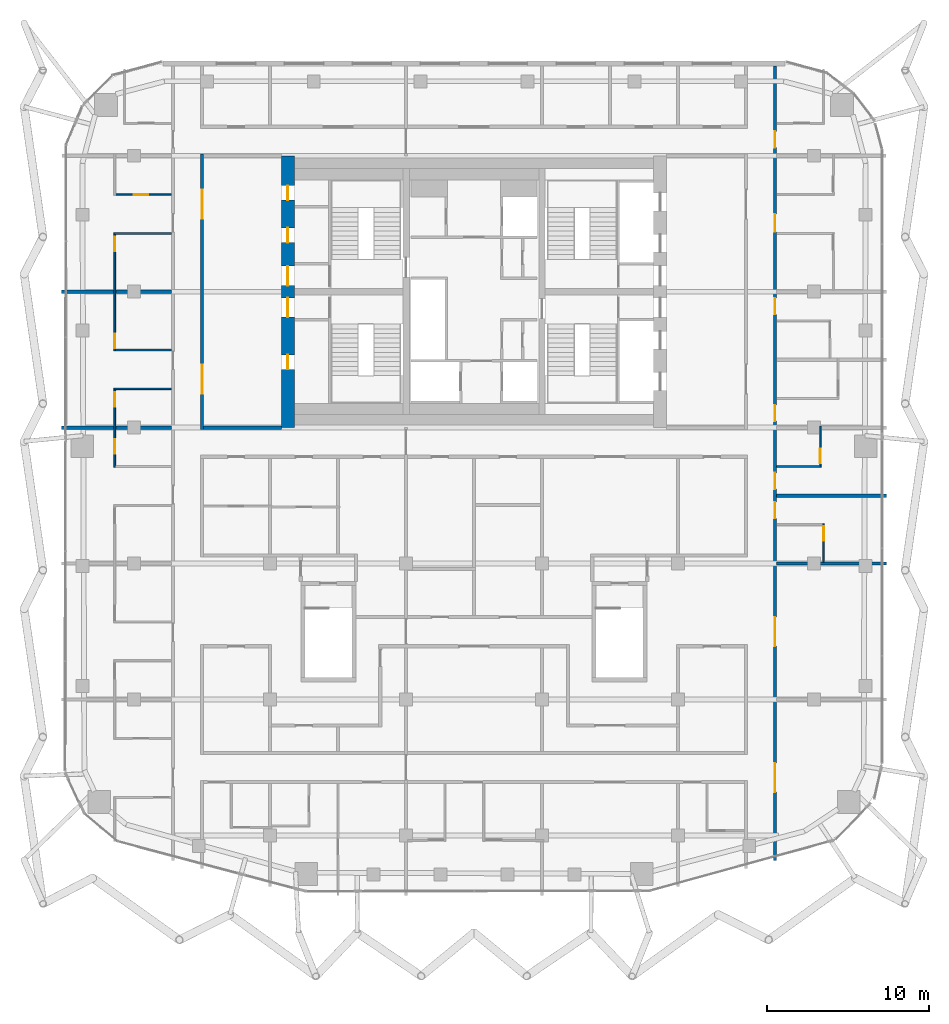
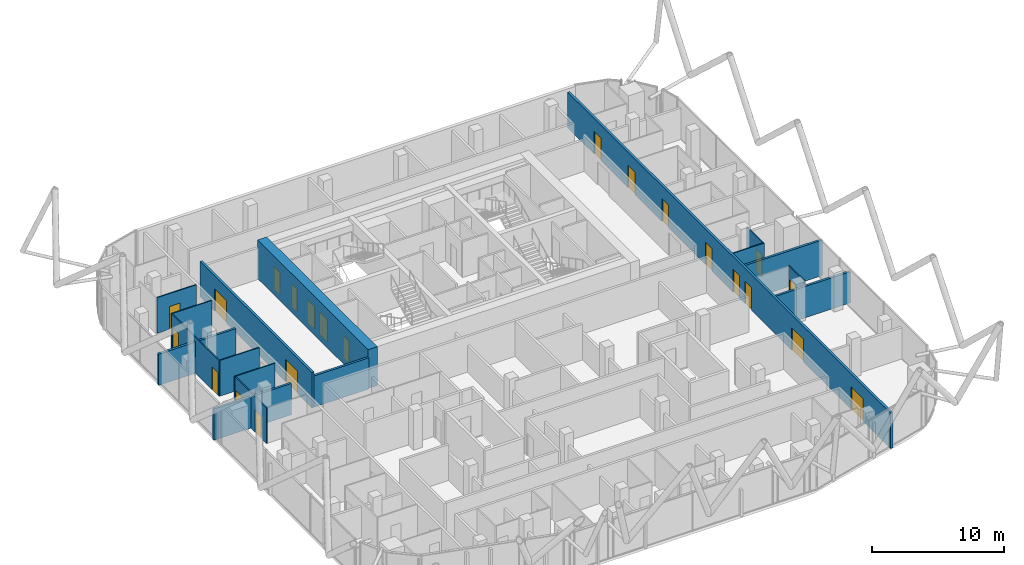
# One storey, part 28 of 33: 22 doors, 17 walls, 22 openings.
"""IFC4 building model written with IfcOpenShell, lengths in metres."""

from ifc_helpers import new_model, si_unit, direction, frame, frame_2d, origin, place, context, subcontext, project, spatial, rectangle, extrude, material, layer, layer_set, type_object, element, fill, save


model = new_model("IFC4")

# Units and contexts
model_context = context("Model", 3, precision=1e-05, world=origin(), true_north=direction((0.0, 1.0)))
body_context = subcontext(model_context, "Body", "Model", "MODEL_VIEW")
ifc_project = project(units=[si_unit("LENGTHUNIT", "METRE"), si_unit("AREAUNIT", "SQUARE_METRE"), si_unit("VOLUMEUNIT", "CUBIC_METRE"), si_unit("PLANEANGLEUNIT", "RADIAN"), si_unit("MASSUNIT", "GRAM", prefix="KILO")], contexts=[model_context])

# Site, building, storey
site_placement = place(None, origin())
site = spatial("IfcSite", under=ifc_project, at=site_placement, CompositionType="ELEMENT")
building_placement = place(site_placement, origin())
building = spatial("IfcBuilding", under=site, at=building_placement, Name="Marenta Gate Hotel Tower", CompositionType="ELEMENT")
storey_placement = place(building_placement, frame((0.0, 0.0, 248.89990234375)))
storey = spatial("IfcBuildingStorey", under=building, at=storey_placement, Name="L59", CompositionType="ELEMENT", Elevation=248.89990234375)

# Wall, openings, doors
ifc_material_1 = material(Name="Concrete blockwork", Category="masonry")
ifc_layer_1 = layer(ifc_material_1, 0.199951171875)
ifc_layer_set_1 = layer_set([ifc_layer_1], Name="Concrete blockwork")
wall_type_1 = type_object("IfcWallType", Name="Core boundary wall 200 REI 180", PredefinedType="PARTITIONING", material=ifc_layer_set_1)
wall_1_placement = place(storey_placement, frame((-16.800048828125, -0.10009765625, 0.0), z_axis=(0.0, 0.0, 1.0), x_axis=(0.0, 1.0, 0.0)))
wall_1 = element("IfcWall", 1, at=wall_1_placement, inside=storey, type_object=wall_type_1, Name="L59-CP-BW-W", PredefinedType="PARTITIONING", context=body_context, shape_type="SweptSolid", body=[
    extrude(rectangle(XDim=17.0, YDim=0.199951171875, at=frame_2d((8.5, 0.0))), origin(), (0.0, 0.0, 1.0), 3.300048828125),
])
opening_1_placement = place(wall_1_placement, frame((2.199951171875, 0.0, 0.0)))
opening_1 = element("IfcOpeningElement", 2, at=opening_1_placement, cuts=wall_1, Name="Opening ED-Wa-B", PredefinedType="OPENING", context=body_context, shape_type="SweptSolid", body=[
    extrude(rectangle(XDim=1.800048828125, YDim=2.10009765625, at=frame_2d((0.89990234375, 1.050048828125))), frame((0.0, 0.10009765625, 0.0), z_axis=(0.0, -1.0, 0.0), x_axis=(1.0, 0.0, 0.0)), (0.0, 0.0, 1.0), 0.199951171875),
])
opening_2_placement = place(wall_1_placement, frame((13.0, 0.0, 0.0)))
opening_2 = element("IfcOpeningElement", 3, at=opening_2_placement, cuts=wall_1, Name="Opening ED-Wb-B", PredefinedType="OPENING", context=body_context, shape_type="SweptSolid", body=[
    extrude(rectangle(XDim=1.800048828125, YDim=2.10009765625, at=frame_2d((0.89990234375, 1.050048828125))), frame((0.0, 0.10009765625, 0.0), z_axis=(0.0, -1.0, 0.0), x_axis=(1.0, 0.0, 0.0)), (0.0, 0.0, 1.0), 0.199951171875),
])
ifc_material_2 = material(Name="Steel", Category="steel")
door_type_1 = type_object("IfcDoorType", Name="Core lobby entrance door 1800x2100 EI 60", OperationType="DOUBLE_DOOR_SINGLE_SWING", PredefinedType="DOOR", material=ifc_material_2)
door_1_placement = place(opening_1_placement, origin())
door_1 = element("IfcDoor", 4, at=door_1_placement, inside=storey, type_object=door_type_1, Name="ED-Wa-B", OperationType="DOUBLE_DOOR_SINGLE_SWING", OverallHeight=2.10009765625, OverallWidth=1.800048828125, PredefinedType="DOOR", context=body_context, shape_type="SweptSolid", body=[
    extrude(rectangle(XDim=1.800048828125, YDim=2.10009765625, at=frame_2d((0.89990234375, 1.050048828125))), frame((0.0, 0.02490234375, 0.0), z_axis=(0.0, -1.0, 0.0), x_axis=(1.0, 0.0, 0.0)), (0.0, 0.0, 1.0), 0.050048828125),
])
fill(opening_1, door_1)
door_2_placement = place(opening_2_placement, origin())
door_2 = element("IfcDoor", 5, at=door_2_placement, inside=storey, type_object=door_type_1, Name="ED-Wb-B", OperationType="DOUBLE_DOOR_SINGLE_SWING", OverallHeight=2.10009765625, OverallWidth=1.800048828125, PredefinedType="DOOR", context=body_context, shape_type="SweptSolid", body=[
    extrude(rectangle(XDim=1.800048828125, YDim=2.10009765625, at=frame_2d((0.89990234375, 1.050048828125))), frame((0.0, 0.02490234375, 0.0), z_axis=(0.0, -1.0, 0.0), x_axis=(1.0, 0.0, 0.0)), (0.0, 0.0, 1.0), 0.050048828125),
])
fill(opening_2, door_2)

# Wall
wall_2_placement = place(storey_placement, frame((-16.699951171875, 0.0, 0.0), z_axis=(0.0, 0.0, 1.0), x_axis=(1.0, 0.0, 0.0)))
element("IfcWall", 6, at=wall_2_placement, inside=storey, type_object=wall_type_1, Name="L59-CP-EW-WS", PredefinedType="PARTITIONING", context=body_context, shape_type="SweptSolid", body=[
    extrude(rectangle(XDim=4.800048828125, YDim=0.199951171875, at=frame_2d((2.39990234375, 0.0))), origin(), (0.0, 0.0, 1.0), 2.900146484375),
])

# Wall, openings, doors
ifc_material_3 = material(Name="Concrete C60", Category="concrete")
ifc_layer_2 = layer(ifc_material_3, 0.800048828125)
ifc_layer_set_2 = layer_set([ifc_layer_2], Name="Concrete C60")
wall_type_2 = type_object("IfcWallType", Name="Core wall 800 C60", PredefinedType="SHEAR", material=ifc_layer_set_2)
wall_3_placement = place(storey_placement, frame((-11.5, 0.0, 0.0), z_axis=(0.0, 0.0, 1.0), x_axis=(0.0, 1.0, 0.0)))
wall_3 = element("IfcWall", 7, at=wall_3_placement, inside=storey, type_object=wall_type_2, Name="L59-CORE-W", PredefinedType="SHEAR", context=body_context, shape_type="SweptSolid", body=[
    extrude(rectangle(XDim=16.800048828125, YDim=0.800048828125, at=frame_2d((8.39990234375, 0.0))), origin(), (0.0, 0.0, 1.0), 3.60009765625),
])
opening_3_placement = place(wall_3_placement, frame((3.60009765625, 0.0, 0.0)))
opening_3 = element("IfcOpeningElement", 8, at=opening_3_placement, cuts=wall_3, Name="Opening RD-WS-1", PredefinedType="OPENING", context=body_context, shape_type="SweptSolid", body=[
    extrude(rectangle(XDim=0.89990234375, YDim=2.10009765625, at=frame_2d((0.449951171875, 1.050048828125))), frame((0.0, 0.39990234375, 0.0), z_axis=(0.0, -1.0, 0.0), x_axis=(1.0, 0.0, 0.0)), (0.0, 0.0, 1.0), 0.800048828125),
])
opening_4_placement = place(wall_3_placement, frame((6.824951171875, 0.0, 0.0)))
opening_4 = element("IfcOpeningElement", 9, at=opening_4_placement, cuts=wall_3, Name="Opening PD-WS", PredefinedType="OPENING", context=body_context, shape_type="SweptSolid", body=[
    extrude(rectangle(XDim=1.199951171875, YDim=2.10009765625, at=frame_2d((0.60009765625, 1.050048828125))), frame((0.0, 0.39990234375, 0.0), z_axis=(0.0, -1.0, 0.0), x_axis=(1.0, 0.0, 0.0)), (0.0, 0.0, 1.0), 0.800048828125),
])
opening_5_placement = place(wall_3_placement, frame((14.0625, 0.0, 0.0)))
opening_5 = element("IfcOpeningElement", 10, at=opening_5_placement, cuts=wall_3, Name="Opening RD-WN-1", PredefinedType="OPENING", context=body_context, shape_type="SweptSolid", body=[
    extrude(rectangle(XDim=0.89990234375, YDim=2.10009765625, at=frame_2d((0.449951171875, 1.050048828125))), frame((0.0, 0.39990234375, 0.0), z_axis=(0.0, -1.0, 0.0), x_axis=(1.0, 0.0, 0.0)), (0.0, 0.0, 1.0), 0.800048828125),
])
opening_6_placement = place(wall_3_placement, frame((11.4375, 0.0, 0.0)))
opening_6 = element("IfcOpeningElement", 11, at=opening_6_placement, cuts=wall_3, Name="Opening RD-WN-2", PredefinedType="OPENING", context=body_context, shape_type="SweptSolid", body=[
    extrude(rectangle(XDim=0.89990234375, YDim=2.10009765625, at=frame_2d((0.449951171875, 1.050048828125))), frame((0.0, 0.39990234375, 0.0), z_axis=(0.0, -1.0, 0.0), x_axis=(1.0, 0.0, 0.0)), (0.0, 0.0, 1.0), 0.800048828125),
])
opening_7_placement = place(wall_3_placement, frame((8.77490234375, 0.0, 0.0)))
opening_7 = element("IfcOpeningElement", 12, at=opening_7_placement, cuts=wall_3, Name="Opening PD-WN", PredefinedType="OPENING", context=body_context, shape_type="SweptSolid", body=[
    extrude(rectangle(XDim=1.199951171875, YDim=2.10009765625, at=frame_2d((0.60009765625, 1.050048828125))), frame((0.0, 0.39990234375, 0.0), z_axis=(0.0, -1.0, 0.0), x_axis=(1.0, 0.0, 0.0)), (0.0, 0.0, 1.0), 0.800048828125),
])
ifc_material_4 = material(Name="Steel", Category="steel")
door_type_2 = type_object("IfcDoorType", Name="Core lobby door 1200x2100 FD60", OperationType="SINGLE_SWING_LEFT", PredefinedType="DOOR", material=ifc_material_4)
door_3_placement = place(opening_4_placement, origin())
door_3 = element("IfcDoor", 13, at=door_3_placement, inside=storey, type_object=door_type_2, Name="PD-WS", OperationType="SINGLE_SWING_LEFT", OverallHeight=2.10009765625, OverallWidth=1.199951171875, PredefinedType="DOOR", context=body_context, shape_type="SweptSolid", body=[
    extrude(rectangle(XDim=1.199951171875, YDim=2.10009765625, at=frame_2d((0.60009765625, 1.050048828125))), frame((0.0, 0.02490234375, 0.0), z_axis=(0.0, -1.0, 0.0), x_axis=(1.0, 0.0, 0.0)), (0.0, 0.0, 1.0), 0.050048828125),
])
fill(opening_4, door_3)
door_4_placement = place(opening_7_placement, origin())
door_4 = element("IfcDoor", 14, at=door_4_placement, inside=storey, type_object=door_type_2, Name="PD-WN", OperationType="SINGLE_SWING_LEFT", OverallHeight=2.10009765625, OverallWidth=1.199951171875, PredefinedType="DOOR", context=body_context, shape_type="SweptSolid", body=[
    extrude(rectangle(XDim=1.199951171875, YDim=2.10009765625, at=frame_2d((0.60009765625, 1.050048828125))), frame((0.0, 0.02490234375, 0.0), z_axis=(0.0, -1.0, 0.0), x_axis=(1.0, 0.0, 0.0)), (0.0, 0.0, 1.0), 0.050048828125),
])
fill(opening_7, door_4)
ifc_material_5 = material(Name="Steel", Category="steel")
door_type_3 = type_object("IfcDoorType", Name="Core service room door 900x2100 FD30S", OperationType="SINGLE_SWING_LEFT", PredefinedType="DOOR", material=ifc_material_5)
door_5_placement = place(opening_3_placement, origin())
door_5 = element("IfcDoor", 15, at=door_5_placement, inside=storey, type_object=door_type_3, Name="RD-WS-1", OperationType="SINGLE_SWING_LEFT", OverallHeight=2.10009765625, OverallWidth=0.89990234375, PredefinedType="DOOR", context=body_context, shape_type="SweptSolid", body=[
    extrude(rectangle(XDim=0.89990234375, YDim=2.10009765625, at=frame_2d((0.449951171875, 1.050048828125))), frame((0.0, 0.02490234375, 0.0), z_axis=(0.0, -1.0, 0.0), x_axis=(1.0, 0.0, 0.0)), (0.0, 0.0, 1.0), 0.050048828125),
])
fill(opening_3, door_5)
door_6_placement = place(opening_5_placement, origin())
door_6 = element("IfcDoor", 16, at=door_6_placement, inside=storey, type_object=door_type_3, Name="RD-WN-1", OperationType="SINGLE_SWING_LEFT", OverallHeight=2.10009765625, OverallWidth=0.89990234375, PredefinedType="DOOR", context=body_context, shape_type="SweptSolid", body=[
    extrude(rectangle(XDim=0.89990234375, YDim=2.10009765625, at=frame_2d((0.449951171875, 1.050048828125))), frame((0.0, 0.02490234375, 0.0), z_axis=(0.0, -1.0, 0.0), x_axis=(1.0, 0.0, 0.0)), (0.0, 0.0, 1.0), 0.050048828125),
])
fill(opening_5, door_6)
door_7_placement = place(opening_6_placement, origin())
door_7 = element("IfcDoor", 17, at=door_7_placement, inside=storey, type_object=door_type_3, Name="RD-WN-2", OperationType="SINGLE_SWING_LEFT", OverallHeight=2.10009765625, OverallWidth=0.89990234375, PredefinedType="DOOR", context=body_context, shape_type="SweptSolid", body=[
    extrude(rectangle(XDim=0.89990234375, YDim=2.10009765625, at=frame_2d((0.449951171875, 1.050048828125))), frame((0.0, 0.02490234375, 0.0), z_axis=(0.0, -1.0, 0.0), x_axis=(1.0, 0.0, 0.0)), (0.0, 0.0, 1.0), 0.050048828125),
])
fill(opening_6, door_7)

ifc_material_6 = material(Name="Gypsum board on steel stud", Category="steel")
ifc_layer_3 = layer(ifc_material_6, 0.199951171875)
ifc_layer_set_3 = layer_set([ifc_layer_3], Name="Gypsum board on steel stud")
wall_type_3 = type_object("IfcWallType", Name="Room corridor wall 200 EI 60", PredefinedType="PARTITIONING", material=ifc_layer_set_3)
wall_4_placement = place(storey_placement, frame((18.60009765625, -26.7509765625, 0.0), z_axis=(0.0, 0.0, 1.0), x_axis=(0.0, 1.0, 0.0)))
wall_4 = element("IfcWall", 18, at=wall_4_placement, inside=storey, type_object=wall_type_3, Name="L59-PTN-W017", PredefinedType="PARTITIONING", context=body_context, shape_type="SweptSolid", body=[
    extrude(rectangle(XDim=49.091064453125, YDim=0.199951171875, at=frame_2d((24.54541015625, 0.0))), origin(), (0.0, 0.0, 1.0), 3.300048828125),
])
opening_8_placement = place(wall_4_placement, frame((4.22607421875, 0.0, 0.0)))
opening_8 = element("IfcOpeningElement", 19, at=opening_8_placement, cuts=wall_4, Name="Opening G21-14", PredefinedType="OPENING", context=body_context, shape_type="SweptSolid", body=[
    extrude(rectangle(XDim=1.800048828125, YDim=2.10009765625, at=frame_2d((0.89990234375, 1.050048828125))), frame((0.0, 0.10009765625, 0.0), z_axis=(0.0, -1.0, 0.0), x_axis=(1.0, 0.0, 0.0)), (0.0, 0.0, 1.0), 0.199951171875),
])
opening_9_placement = place(wall_4_placement, frame((13.2509765625, 0.0, 0.0)))
opening_9 = element("IfcOpeningElement", 20, at=opening_9_placement, cuts=wall_4, Name="Opening G21-15", PredefinedType="OPENING", context=body_context, shape_type="SweptSolid", body=[
    extrude(rectangle(XDim=1.800048828125, YDim=2.10009765625, at=frame_2d((0.89990234375, 1.050048828125))), frame((0.0, 0.10009765625, 0.0), z_axis=(0.0, -1.0, 0.0), x_axis=(1.0, 0.0, 0.0)), (0.0, 0.0, 1.0), 0.199951171875),
])
opening_10_placement = place(wall_4_placement, frame((21.15087890625, 0.0, 0.0)))
opening_10 = element("IfcOpeningElement", 21, at=opening_10_placement, cuts=wall_4, Name="Opening G21-16", PredefinedType="OPENING", context=body_context, shape_type="SweptSolid", body=[
    extrude(rectangle(XDim=1.0, YDim=2.10009765625, at=frame_2d((0.5, 1.050048828125))), frame((0.0, 0.10009765625, 0.0), z_axis=(0.0, -1.0, 0.0), x_axis=(1.0, 0.0, 0.0)), (0.0, 0.0, 1.0), 0.199951171875),
])
opening_11_placement = place(wall_4_placement, frame((22.950927734375, 0.0, 0.0)))
opening_11 = element("IfcOpeningElement", 22, at=opening_11_placement, cuts=wall_4, Name="Opening G21-18", PredefinedType="OPENING", context=body_context, shape_type="SweptSolid", body=[
    extrude(rectangle(XDim=1.0, YDim=2.10009765625, at=frame_2d((0.5, 1.050048828125))), frame((0.0, 0.10009765625, 0.0), z_axis=(0.0, -1.0, 0.0), x_axis=(1.0, 0.0, 0.0)), (0.0, 0.0, 1.0), 0.199951171875),
])
opening_12_placement = place(wall_4_placement, frame((27.15087890625, 0.0, 0.0)))
opening_12 = element("IfcOpeningElement", 23, at=opening_12_placement, cuts=wall_4, Name="Opening G21-20", PredefinedType="OPENING", context=body_context, shape_type="SweptSolid", body=[
    extrude(rectangle(XDim=1.0, YDim=2.10009765625, at=frame_2d((0.5, 1.050048828125))), frame((0.0, 0.10009765625, 0.0), z_axis=(0.0, -1.0, 0.0), x_axis=(1.0, 0.0, 0.0)), (0.0, 0.0, 1.0), 0.199951171875),
])
opening_13_placement = place(wall_4_placement, frame((33.7509765625, 0.0, 0.0)))
opening_13 = element("IfcOpeningElement", 24, at=opening_13_placement, cuts=wall_4, Name="Opening G21-22", PredefinedType="OPENING", context=body_context, shape_type="SweptSolid", body=[
    extrude(rectangle(XDim=1.0, YDim=2.10009765625, at=frame_2d((0.5, 1.050048828125))), frame((0.0, 0.10009765625, 0.0), z_axis=(0.0, -1.0, 0.0), x_axis=(1.0, 0.0, 0.0)), (0.0, 0.0, 1.0), 0.199951171875),
])
opening_14_placement = place(wall_4_placement, frame((38.85107421875, 0.0, 0.0)))
opening_14 = element("IfcOpeningElement", 25, at=opening_14_placement, cuts=wall_4, Name="Opening G21-24", PredefinedType="OPENING", context=body_context, shape_type="SweptSolid", body=[
    extrude(rectangle(XDim=1.10009765625, YDim=2.10009765625, at=frame_2d((0.550048828125, 1.050048828125))), frame((0.0, 0.10009765625, 0.0), z_axis=(0.0, -1.0, 0.0), x_axis=(1.0, 0.0, 0.0)), (0.0, 0.0, 1.0), 0.199951171875),
])
opening_15_placement = place(wall_4_placement, frame((44.051025390625, 0.0, 0.0)))
opening_15 = element("IfcOpeningElement", 26, at=opening_15_placement, cuts=wall_4, Name="Opening G21-27", PredefinedType="OPENING", context=body_context, shape_type="SweptSolid", body=[
    extrude(rectangle(XDim=1.0, YDim=2.10009765625, at=frame_2d((0.5, 1.050048828125))), frame((0.0, 0.10009765625, 0.0), z_axis=(0.0, -1.0, 0.0), x_axis=(1.0, 0.0, 0.0)), (0.0, 0.0, 1.0), 0.199951171875),
])
ifc_material_7 = material(Name="Timber door leaf", Category="wood")
door_type_4 = type_object("IfcDoorType", Name="Guest room door 1000x2100 EI 30", OperationType="NOTDEFINED", PredefinedType="DOOR", material=ifc_material_7)
door_8_placement = place(opening_10_placement, origin())
door_8 = element("IfcDoor", 27, at=door_8_placement, inside=storey, type_object=door_type_4, Name="L59-PD-D016", OperationType="SINGLE_SWING_RIGHT", OverallHeight=2.10009765625, OverallWidth=1.0, PredefinedType="DOOR", context=body_context, shape_type="SweptSolid", body=[
    extrude(rectangle(XDim=1.0, YDim=2.10009765625, at=frame_2d((0.5, 1.050048828125))), frame((0.0, 0.02490234375, 0.0), z_axis=(0.0, -1.0, 0.0), x_axis=(1.0, 0.0, 0.0)), (0.0, 0.0, 1.0), 0.050048828125),
])
fill(opening_10, door_8)
door_9_placement = place(opening_11_placement, origin())
door_9 = element("IfcDoor", 28, at=door_9_placement, inside=storey, type_object=door_type_4, Name="L59-PD-D018", OperationType="SINGLE_SWING_RIGHT", OverallHeight=2.10009765625, OverallWidth=1.0, PredefinedType="DOOR", context=body_context, shape_type="SweptSolid", body=[
    extrude(rectangle(XDim=1.0, YDim=2.10009765625, at=frame_2d((0.5, 1.050048828125))), frame((0.0, 0.02490234375, 0.0), z_axis=(0.0, -1.0, 0.0), x_axis=(1.0, 0.0, 0.0)), (0.0, 0.0, 1.0), 0.050048828125),
])
fill(opening_11, door_9)
door_10_placement = place(opening_12_placement, origin())
door_10 = element("IfcDoor", 29, at=door_10_placement, inside=storey, type_object=door_type_4, Name="L59-PD-D020", OperationType="SINGLE_SWING_RIGHT", OverallHeight=2.10009765625, OverallWidth=1.0, PredefinedType="DOOR", context=body_context, shape_type="SweptSolid", body=[
    extrude(rectangle(XDim=1.0, YDim=2.10009765625, at=frame_2d((0.5, 1.050048828125))), frame((0.0, 0.02490234375, 0.0), z_axis=(0.0, -1.0, 0.0), x_axis=(1.0, 0.0, 0.0)), (0.0, 0.0, 1.0), 0.050048828125),
])
fill(opening_12, door_10)
door_11_placement = place(opening_13_placement, origin())
door_11 = element("IfcDoor", 30, at=door_11_placement, inside=storey, type_object=door_type_4, Name="L59-PD-D022", OperationType="SINGLE_SWING_RIGHT", OverallHeight=2.10009765625, OverallWidth=1.0, PredefinedType="DOOR", context=body_context, shape_type="SweptSolid", body=[
    extrude(rectangle(XDim=1.0, YDim=2.10009765625, at=frame_2d((0.5, 1.050048828125))), frame((0.0, 0.02490234375, 0.0), z_axis=(0.0, -1.0, 0.0), x_axis=(1.0, 0.0, 0.0)), (0.0, 0.0, 1.0), 0.050048828125),
])
fill(opening_13, door_11)
door_12_placement = place(opening_15_placement, origin())
door_12 = element("IfcDoor", 31, at=door_12_placement, inside=storey, type_object=door_type_4, Name="L59-PD-D027", OperationType="SINGLE_SWING_LEFT", OverallHeight=2.10009765625, OverallWidth=1.0, PredefinedType="DOOR", context=body_context, shape_type="SweptSolid", body=[
    extrude(rectangle(XDim=1.0, YDim=2.10009765625, at=frame_2d((0.5, 1.050048828125))), frame((0.0, 0.02490234375, 0.0), z_axis=(0.0, -1.0, 0.0), x_axis=(1.0, 0.0, 0.0)), (0.0, 0.0, 1.0), 0.050048828125),
])
fill(opening_15, door_12)
ifc_material_8 = material(Name="Timber door leaf", Category="wood")
door_type_5 = type_object("IfcDoorType", Name="Guest room door 1100x2100 EI 30", OperationType="NOTDEFINED", PredefinedType="DOOR", material=ifc_material_8)
door_13_placement = place(opening_14_placement, origin())
door_13 = element("IfcDoor", 32, at=door_13_placement, inside=storey, type_object=door_type_5, Name="L59-PD-D024", OperationType="SINGLE_SWING_RIGHT", OverallHeight=2.10009765625, OverallWidth=1.10009765625, PredefinedType="DOOR", context=body_context, shape_type="SweptSolid", body=[
    extrude(rectangle(XDim=1.10009765625, YDim=2.10009765625, at=frame_2d((0.550048828125, 1.050048828125))), frame((0.0, 0.02490234375, 0.0), z_axis=(0.0, -1.0, 0.0), x_axis=(1.0, 0.0, 0.0)), (0.0, 0.0, 1.0), 0.050048828125),
])
fill(opening_14, door_13)
ifc_material_9 = material(Name="Timber door leaf", Category="wood")
door_type_6 = type_object("IfcDoorType", Name="Room amenity door 1800x2100 EI 30", OperationType="DOUBLE_DOOR_SINGLE_SWING", PredefinedType="DOOR", material=ifc_material_9)
door_14_placement = place(opening_8_placement, origin())
door_14 = element("IfcDoor", 33, at=door_14_placement, inside=storey, type_object=door_type_6, Name="L59-PD-D014", OperationType="DOUBLE_DOOR_SINGLE_SWING", OverallHeight=2.10009765625, OverallWidth=1.800048828125, PredefinedType="DOOR", context=body_context, shape_type="SweptSolid", body=[
    extrude(rectangle(XDim=1.800048828125, YDim=2.10009765625, at=frame_2d((0.89990234375, 1.050048828125))), frame((0.0, 0.02490234375, 0.0), z_axis=(0.0, -1.0, 0.0), x_axis=(1.0, 0.0, 0.0)), (0.0, 0.0, 1.0), 0.050048828125),
])
fill(opening_8, door_14)
door_15_placement = place(opening_9_placement, origin())
door_15 = element("IfcDoor", 34, at=door_15_placement, inside=storey, type_object=door_type_6, Name="L59-PD-D015", OperationType="DOUBLE_DOOR_SINGLE_SWING", OverallHeight=2.10009765625, OverallWidth=1.800048828125, PredefinedType="DOOR", context=body_context, shape_type="SweptSolid", body=[
    extrude(rectangle(XDim=1.800048828125, YDim=2.10009765625, at=frame_2d((0.89990234375, 1.050048828125))), frame((0.0, 0.02490234375, 0.0), z_axis=(0.0, -1.0, 0.0), x_axis=(1.0, 0.0, 0.0)), (0.0, 0.0, 1.0), 0.050048828125),
])
fill(opening_9, door_15)

# Wall, opening, door
ifc_material_10 = material(Name="Gypsum board on steel stud", Category="steel")
ifc_layer_4 = layer(ifc_material_10, 0.10009765625)
ifc_layer_set_4 = layer_set([ifc_layer_4], Name="Gypsum board on steel stud")
wall_type_4 = type_object("IfcWallType", Name="Room partition 100", PredefinedType="PARTITIONING", material=ifc_layer_set_4)
wall_5_placement = place(storey_placement, frame((21.60009765625, -8.300048828125, 0.0), z_axis=(0.0, 0.0, 1.0), x_axis=(0.0, 1.0, 0.0)))
wall_5 = element("IfcWall", 35, at=wall_5_placement, inside=storey, type_object=wall_type_4, Name="L59-PTN-W012", PredefinedType="PARTITIONING", context=body_context, shape_type="SweptSolid", body=[
    extrude(rectangle(XDim=2.35009765625, YDim=0.10009765625, at=frame_2d((1.175048828125, 0.0))), origin(), (0.0, 0.0, 1.0), 3.300048828125),
])
opening_16_placement = place(wall_5_placement, frame((1.300048828125, 0.0, 0.0)))
opening_16 = element("IfcOpeningElement", 36, at=opening_16_placement, cuts=wall_5, Name="Opening G21-17", PredefinedType="OPENING", context=body_context, shape_type="SweptSolid", body=[
    extrude(rectangle(XDim=0.89990234375, YDim=2.10009765625, at=frame_2d((0.449951171875, 1.050048828125))), frame((0.0, 0.050048828125, 0.0), z_axis=(0.0, -1.0, 0.0), x_axis=(1.0, 0.0, 0.0)), (0.0, 0.0, 1.0), 0.10009765625),
])
ifc_material_11 = material(Name="Timber door leaf", Category="wood")
door_type_7 = type_object("IfcDoorType", Name="Guest bathroom door 900x2100", OperationType="NOTDEFINED", PredefinedType="DOOR", material=ifc_material_11)
door_16_placement = place(opening_16_placement, origin())
door_16 = element("IfcDoor", 37, at=door_16_placement, inside=storey, type_object=door_type_7, Name="L59-PD-D017", OperationType="SINGLE_SWING_RIGHT", OverallHeight=2.10009765625, OverallWidth=0.89990234375, PredefinedType="DOOR", context=body_context, shape_type="SweptSolid", body=[
    extrude(rectangle(XDim=0.89990234375, YDim=2.10009765625, at=frame_2d((0.449951171875, 1.050048828125))), frame((0.0, 0.02490234375, 0.0), z_axis=(0.0, -1.0, 0.0), x_axis=(1.0, 0.0, 0.0)), (0.0, 0.0, 1.0), 0.050048828125),
])
fill(opening_16, door_16)

wall_6_placement = place(storey_placement, frame((21.39990234375, -2.35009765625, 0.0), z_axis=(0.0, 0.0, 1.0), x_axis=(0.0, 1.0, 0.0)))
wall_6 = element("IfcWall", 38, at=wall_6_placement, inside=storey, type_object=wall_type_4, Name="L59-PTN-W014", PredefinedType="PARTITIONING", context=body_context, shape_type="SweptSolid", body=[
    extrude(rectangle(XDim=2.4501953125, YDim=0.10009765625, at=frame_2d((1.22509765625, 0.0))), origin(), (0.0, 0.0, 1.0), 3.300048828125),
])
opening_17_placement = place(wall_6_placement, frame((0.14990234375, 0.0, 0.0)))
opening_17 = element("IfcOpeningElement", 39, at=opening_17_placement, cuts=wall_6, Name="Opening G21-19", PredefinedType="OPENING", context=body_context, shape_type="SweptSolid", body=[
    extrude(rectangle(XDim=0.89990234375, YDim=2.10009765625, at=frame_2d((0.449951171875, 1.050048828125))), frame((0.0, 0.050048828125, 0.0), z_axis=(0.0, -1.0, 0.0), x_axis=(1.0, 0.0, 0.0)), (0.0, 0.0, 1.0), 0.10009765625),
])
door_17_placement = place(opening_17_placement, origin())
door_17 = element("IfcDoor", 40, at=door_17_placement, inside=storey, type_object=door_type_7, Name="L59-PD-D019", OperationType="SINGLE_SWING_LEFT", OverallHeight=2.10009765625, OverallWidth=0.89990234375, PredefinedType="DOOR", context=body_context, shape_type="SweptSolid", body=[
    extrude(rectangle(XDim=0.89990234375, YDim=2.10009765625, at=frame_2d((0.449951171875, 1.050048828125))), frame((0.0, 0.02490234375, 0.0), z_axis=(0.0, -1.0, 0.0), x_axis=(1.0, 0.0, 0.0)), (0.0, 0.0, 1.0), 0.050048828125),
])
fill(opening_17, door_17)

# Walls
wall_7_placement = place(storey_placement, frame((18.699951171875, -2.39990234375, 0.0), z_axis=(0.0, 0.0, 1.0), x_axis=(1.0, 0.0, 0.0)))
element("IfcWall", 41, at=wall_7_placement, inside=storey, type_object=wall_type_4, Name="L59-PTN-W060", PredefinedType="PARTITIONING", context=body_context, shape_type="SweptSolid", body=[
    extrude(rectangle(XDim=2.75, YDim=0.10009765625, at=frame_2d((1.375, 0.0))), origin(), (0.0, 0.0, 1.0), 3.300048828125),
])
wall_8_placement = place(storey_placement, frame((-22.25, 2.39990234375, 0.0), z_axis=(0.0, 0.0, 1.0), x_axis=(1.0, 0.0, 0.0)))
element("IfcWall", 42, at=wall_8_placement, inside=storey, type_object=wall_type_4, Name="L59-PTN-W068", PredefinedType="PARTITIONING", context=body_context, shape_type="SweptSolid", body=[
    extrude(rectangle(XDim=3.550048828125, YDim=0.10009765625, at=frame_2d((1.77490234375, 0.0))), origin(), (0.0, 0.0, 1.0), 3.300048828125),
])
wall_9_placement = place(storey_placement, frame((-22.14990234375, 4.800048828125, 0.0), z_axis=(0.0, 0.0, 1.0), x_axis=(1.0, 0.0, 0.0)))
element("IfcWall", 43, at=wall_9_placement, inside=storey, type_object=wall_type_4, Name="L59-PTN-W074", PredefinedType="PARTITIONING", context=body_context, shape_type="SweptSolid", body=[
    extrude(rectangle(XDim=3.449951171875, YDim=0.10009765625, at=frame_2d((1.72509765625, 0.0))), origin(), (0.0, 0.0, 1.0), 3.300048828125),
])
wall_10_placement = place(storey_placement, frame((-22.25, 12.0, 0.0), z_axis=(0.0, 0.0, 1.0), x_axis=(1.0, 0.0, 0.0)))
element("IfcWall", 44, at=wall_10_placement, inside=storey, type_object=wall_type_4, Name="L59-PTN-W085", PredefinedType="PARTITIONING", context=body_context, shape_type="SweptSolid", body=[
    extrude(rectangle(XDim=3.550048828125, YDim=0.10009765625, at=frame_2d((1.77490234375, 0.0))), origin(), (0.0, 0.0, 1.0), 3.300048828125),
])

# Wall, opening, door
wall_11_placement = place(storey_placement, frame((-22.14990234375, 14.39990234375, 0.0), z_axis=(0.0, 0.0, 1.0), x_axis=(1.0, 0.0, 0.0)))
wall_11 = element("IfcWall", 45, at=wall_11_placement, inside=storey, type_object=wall_type_4, Name="L59-PTN-W092", PredefinedType="PARTITIONING", context=body_context, shape_type="SweptSolid", body=[
    extrude(rectangle(XDim=3.449951171875, YDim=0.10009765625, at=frame_2d((1.72509765625, 0.0))), origin(), (0.0, 0.0, 1.0), 3.300048828125),
])
opening_18_placement = place(wall_11_placement, frame((1.1201171875, 0.0, 0.0)))
opening_18 = element("IfcOpeningElement", 46, at=opening_18_placement, cuts=wall_11, Name="Opening G21-58", PredefinedType="OPENING", context=body_context, shape_type="SweptSolid", body=[
    extrude(rectangle(XDim=0.89990234375, YDim=2.10009765625, at=frame_2d((0.449951171875, 1.050048828125))), frame((0.0, 0.050048828125, 0.0), z_axis=(0.0, -1.0, 0.0), x_axis=(1.0, 0.0, 0.0)), (0.0, 0.0, 1.0), 0.10009765625),
])
ifc_material_12 = material(Name="Timber door leaf", Category="wood")
door_type_8 = type_object("IfcDoorType", Name="Room inner door 900x2100", OperationType="NOTDEFINED", PredefinedType="DOOR", material=ifc_material_12)
door_18_placement = place(opening_18_placement, origin())
door_18 = element("IfcDoor", 47, at=door_18_placement, inside=storey, type_object=door_type_8, Name="L59-PD-D058", OperationType="SINGLE_SWING_LEFT", OverallHeight=2.10009765625, OverallWidth=0.89990234375, PredefinedType="DOOR", context=body_context, shape_type="SweptSolid", body=[
    extrude(rectangle(XDim=0.89990234375, YDim=2.10009765625, at=frame_2d((0.449951171875, 1.050048828125))), frame((0.0, 0.02490234375, 0.0), z_axis=(0.0, -1.0, 0.0), x_axis=(1.0, 0.0, 0.0)), (0.0, 0.0, 1.0), 0.050048828125),
])
fill(opening_18, door_18)

# Wall, openings, doors
wall_12_placement = place(storey_placement, frame((-22.199951171875, -2.449951171875, 0.0), z_axis=(0.0, 0.0, 1.0), x_axis=(0.0, 1.0, 0.0)))
wall_12 = element("IfcWall", 48, at=wall_12_placement, inside=storey, type_object=wall_type_4, Name="L59-PTN-W109", PredefinedType="PARTITIONING", context=body_context, shape_type="SweptSolid", body=[
    extrude(rectangle(XDim=4.800048828125, YDim=0.10009765625, at=frame_2d((2.39990234375, 0.0))), origin(), (0.0, 0.0, 1.0), 3.300048828125),
])
opening_19_placement = place(wall_12_placement, frame((0.85009765625, 0.0, 0.0)))
opening_19 = element("IfcOpeningElement", 49, at=opening_19_placement, cuts=wall_12, Name="Opening G21-52", PredefinedType="OPENING", context=body_context, shape_type="SweptSolid", body=[
    extrude(rectangle(XDim=0.89990234375, YDim=2.10009765625, at=frame_2d((0.449951171875, 1.050048828125))), frame((0.0, 0.050048828125, 0.0), z_axis=(0.0, -1.0, 0.0), x_axis=(1.0, 0.0, 0.0)), (0.0, 0.0, 1.0), 0.10009765625),
])
opening_20_placement = place(wall_12_placement, frame((3.75, 0.0, 0.0)))
opening_20 = element("IfcOpeningElement", 50, at=opening_20_placement, cuts=wall_12, Name="Opening G21-55", PredefinedType="OPENING", context=body_context, shape_type="SweptSolid", body=[
    extrude(rectangle(XDim=0.89990234375, YDim=2.10009765625, at=frame_2d((0.449951171875, 1.050048828125))), frame((0.0, 0.050048828125, 0.0), z_axis=(0.0, -1.0, 0.0), x_axis=(1.0, 0.0, 0.0)), (0.0, 0.0, 1.0), 0.10009765625),
])
door_19_placement = place(opening_19_placement, origin())
door_19 = element("IfcDoor", 51, at=door_19_placement, inside=storey, type_object=door_type_8, Name="L59-PD-D052", OperationType="SINGLE_SWING_LEFT", OverallHeight=2.10009765625, OverallWidth=0.89990234375, PredefinedType="DOOR", context=body_context, shape_type="SweptSolid", body=[
    extrude(rectangle(XDim=0.89990234375, YDim=2.10009765625, at=frame_2d((0.449951171875, 1.050048828125))), frame((0.0, 0.02490234375, 0.0), z_axis=(0.0, -1.0, 0.0), x_axis=(1.0, 0.0, 0.0)), (0.0, 0.0, 1.0), 0.050048828125),
])
fill(opening_19, door_19)
door_20_placement = place(opening_20_placement, origin())
door_20 = element("IfcDoor", 52, at=door_20_placement, inside=storey, type_object=door_type_8, Name="L59-PD-D055", OperationType="SINGLE_SWING_LEFT", OverallHeight=2.10009765625, OverallWidth=0.89990234375, PredefinedType="DOOR", context=body_context, shape_type="SweptSolid", body=[
    extrude(rectangle(XDim=0.89990234375, YDim=2.10009765625, at=frame_2d((0.449951171875, 1.050048828125))), frame((0.0, 0.02490234375, 0.0), z_axis=(0.0, -1.0, 0.0), x_axis=(1.0, 0.0, 0.0)), (0.0, 0.0, 1.0), 0.050048828125),
])
fill(opening_20, door_20)

wall_13_placement = place(storey_placement, frame((-22.199951171875, 4.75, 0.0), z_axis=(0.0, 0.0, 1.0), x_axis=(0.0, 1.0, 0.0)))
wall_13 = element("IfcWall", 53, at=wall_13_placement, inside=storey, type_object=wall_type_4, Name="L59-PTN-W110", PredefinedType="PARTITIONING", context=body_context, shape_type="SweptSolid", body=[
    extrude(rectangle(XDim=7.199951171875, YDim=0.10009765625, at=frame_2d((3.60009765625, 0.0))), origin(), (0.0, 0.0, 1.0), 3.300048828125),
])
opening_21_placement = place(wall_13_placement, frame((0.14990234375, 0.0, 0.0)))
opening_21 = element("IfcOpeningElement", 54, at=opening_21_placement, cuts=wall_13, Name="Opening G21-54", PredefinedType="OPENING", context=body_context, shape_type="SweptSolid", body=[
    extrude(rectangle(XDim=0.89990234375, YDim=2.10009765625, at=frame_2d((0.449951171875, 1.050048828125))), frame((0.0, 0.050048828125, 0.0), z_axis=(0.0, -1.0, 0.0), x_axis=(1.0, 0.0, 0.0)), (0.0, 0.0, 1.0), 0.10009765625),
])
opening_22_placement = place(wall_13_placement, frame((6.14990234375, 0.0, 0.0)))
opening_22 = element("IfcOpeningElement", 55, at=opening_22_placement, cuts=wall_13, Name="Opening G21-57", PredefinedType="OPENING", context=body_context, shape_type="SweptSolid", body=[
    extrude(rectangle(XDim=0.89990234375, YDim=2.10009765625, at=frame_2d((0.449951171875, 1.050048828125))), frame((0.0, 0.050048828125, 0.0), z_axis=(0.0, -1.0, 0.0), x_axis=(1.0, 0.0, 0.0)), (0.0, 0.0, 1.0), 0.10009765625),
])
door_21_placement = place(opening_21_placement, origin())
door_21 = element("IfcDoor", 56, at=door_21_placement, inside=storey, type_object=door_type_7, Name="L59-PD-D054", OperationType="SINGLE_SWING_RIGHT", OverallHeight=2.10009765625, OverallWidth=0.89990234375, PredefinedType="DOOR", context=body_context, shape_type="SweptSolid", body=[
    extrude(rectangle(XDim=0.89990234375, YDim=2.10009765625, at=frame_2d((0.449951171875, 1.050048828125))), frame((0.0, 0.02490234375, 0.0), z_axis=(0.0, -1.0, 0.0), x_axis=(1.0, 0.0, 0.0)), (0.0, 0.0, 1.0), 0.050048828125),
])
fill(opening_21, door_21)
door_22_placement = place(opening_22_placement, origin())
door_22 = element("IfcDoor", 57, at=door_22_placement, inside=storey, type_object=door_type_7, Name="L59-PD-D057", OperationType="SINGLE_SWING_LEFT", OverallHeight=2.10009765625, OverallWidth=0.89990234375, PredefinedType="DOOR", context=body_context, shape_type="SweptSolid", body=[
    extrude(rectangle(XDim=0.89990234375, YDim=2.10009765625, at=frame_2d((0.449951171875, 1.050048828125))), frame((0.0, 0.02490234375, 0.0), z_axis=(0.0, -1.0, 0.0), x_axis=(1.0, 0.0, 0.0)), (0.0, 0.0, 1.0), 0.050048828125),
])
fill(opening_22, door_22)

# Walls
ifc_material_13 = material(Name="Gypsum board on steel stud", Category="steel")
ifc_layer_5 = layer(ifc_material_13, 0.199951171875)
ifc_layer_set_5 = layer_set([ifc_layer_5], Name="Gypsum board on steel stud")
wall_type_5 = type_object("IfcWallType", Name="Room party wall 200 EI 60", PredefinedType="PARTITIONING", material=ifc_layer_set_5)
wall_14_placement = place(storey_placement, frame((18.699951171875, -8.39990234375, 0.0), z_axis=(0.0, 0.0, 1.0), x_axis=(1.0, 0.0, 0.0)))
element("IfcWall", 58, at=wall_14_placement, inside=storey, type_object=wall_type_5, Name="L59-PTN-W042", PredefinedType="PARTITIONING", context=body_context, shape_type="SweptSolid", body=[
    extrude(rectangle(XDim=6.800048828125, YDim=0.199951171875, at=frame_2d((3.39990234375, 0.0))), origin(), (0.0, 0.0, 1.0), 2.900146484375),
])
wall_15_placement = place(storey_placement, frame((18.699951171875, -4.199951171875, 0.0), z_axis=(0.0, 0.0, 1.0), x_axis=(1.0, 0.0, 0.0)))
element("IfcWall", 59, at=wall_15_placement, inside=storey, type_object=wall_type_5, Name="L59-PTN-W058", PredefinedType="PARTITIONING", context=body_context, shape_type="SweptSolid", body=[
    extrude(rectangle(XDim=6.800048828125, YDim=0.199951171875, at=frame_2d((3.39990234375, 0.0))), origin(), (0.0, 0.0, 1.0), 3.300048828125),
])
for number, where, z_axis, x_axis, name in (
    (60, (-25.5, 0.0, 0.0), (0.0, 0.0, 1.0), (1.0, 0.0, 0.0), "L59-PTN-W064"),
    (61, (-25.5, 8.39990234375, 0.0), (0.0, 0.0, 1.0), (1.0, 0.0, 0.0), "L59-PTN-W081"),
):
    element("IfcWall", number, at=place(storey_placement, frame(where, z_axis=z_axis, x_axis=x_axis)), inside=storey, type_object=wall_type_5, Name=name, PredefinedType="PARTITIONING", context=body_context, shape_type="SweptSolid", body=[
        extrude(rectangle(XDim=6.800048828125, YDim=0.199951171875, at=frame_2d((3.39990234375, 0.0))), origin(), (0.0, 0.0, 1.0), 2.900146484375),
    ])

save(model, "model.ifc")
